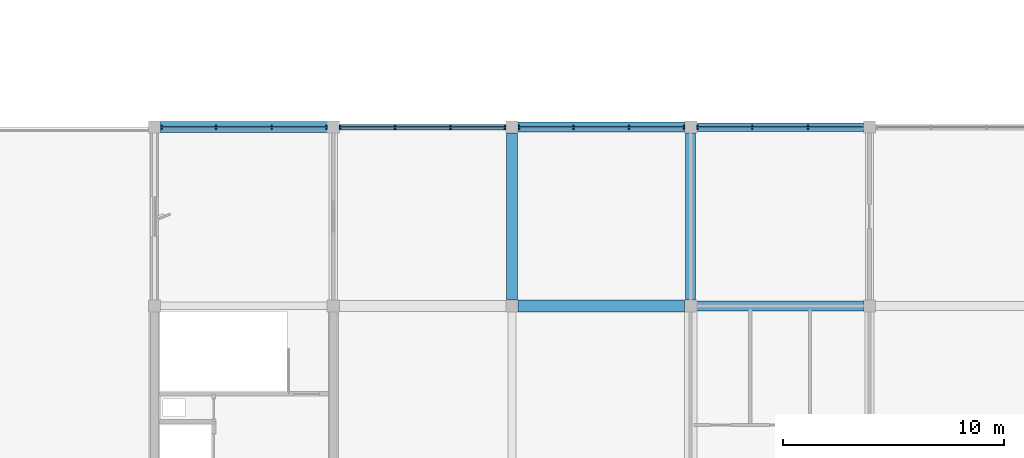
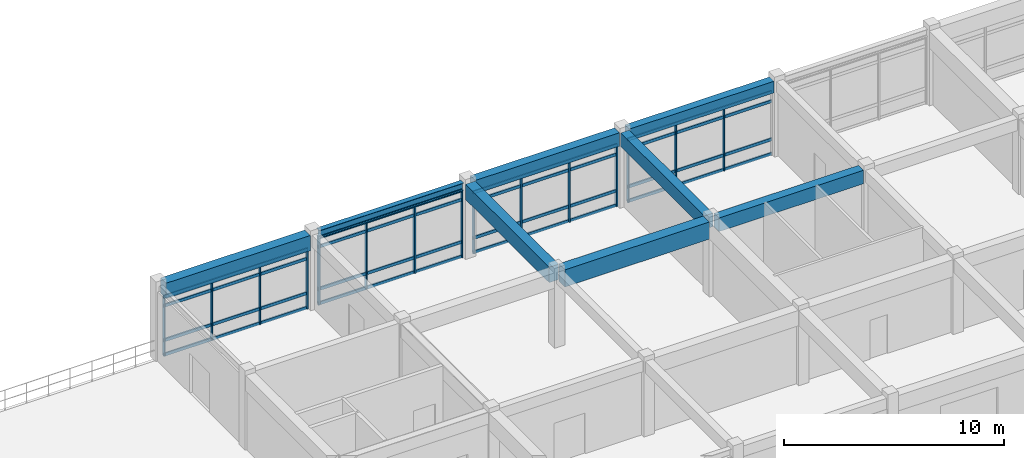
# One storey, part 8 of 40: 31 members, 8 beams, 4 elements without a shape of their own.
"""IFC4 building model written with IfcOpenShell, lengths in metres."""

from ifc_helpers import new_model, si_unit, direction, frame, origin, origin_2d, place, context, subcontext, project, spatial, rectangle, i_section, extrude, material, layer, layer_set, material_profile, profile_set, type_object, element, aggregate, save


model = new_model("IFC4")

# Units and contexts
model_context = context("Model", 3, precision=1e-05, world=origin(), true_north=direction((0.0, 1.0)))
body_context = subcontext(model_context, "Body", "Model", "MODEL_VIEW")
ifc_project = project(units=[si_unit("LENGTHUNIT", "METRE"), si_unit("AREAUNIT", "SQUARE_METRE"), si_unit("VOLUMEUNIT", "CUBIC_METRE"), si_unit("PLANEANGLEUNIT", "RADIAN"), si_unit("MASSUNIT", "GRAM", prefix="KILO")], contexts=[model_context])

# Site, building, storey
site_placement = place(None, origin())
site = spatial("IfcSite", under=ifc_project, at=site_placement, CompositionType="ELEMENT")
building_placement = place(site_placement, origin())
building = spatial("IfcBuilding", under=site, at=building_placement, Name="Vaudrelin Polytechnic", CompositionType="ELEMENT")
storey_placement = place(building_placement, frame((0.0, 0.0, 22.949951171875)))
storey = spatial("IfcBuildingStorey", under=building, at=storey_placement, Name="L05", CompositionType="ELEMENT", Elevation=22.949951171875)

# Beams
ifc_material_1 = material(Name="Concrete 40 MPa", Category="concrete")
ifc_material_profile_1 = material_profile(ifc_material_1, rectangle(XDim=0.39990234375, YDim=0.64990234375, at=origin_2d()), Name="RC400x650")
ifc_profile_set_1 = profile_set([ifc_material_profile_1], Name="Concrete 40 MPa")
beam_type_1 = type_object("IfcBeamType", Name="BM-BM-RC4065", PredefinedType="BEAM", material=ifc_profile_set_1)
beam_1_placement = place(storey_placement, frame((40.77099609375, 121.5, 3.8349609375), z_axis=(1.0, 0.0, 0.0), x_axis=(0.0, 1.0, 0.0)))
element("IfcBeam", 1, at=beam_1_placement, inside=storey, type_object=beam_type_1, Name="L05 X-beam 6-16", PredefinedType="BEAM", context=body_context, shape_type="SweptSolid", body=[
    extrude(rectangle(XDim=0.39990234375, YDim=0.64990234375, at=origin_2d()), origin(), (0.0, 0.0, 1.0), 7.55810546875),
])
ifc_material_profile_2 = material_profile(ifc_material_1, rectangle(XDim=0.449951171875, YDim=0.75, at=origin_2d()), Name="RC450x750")
ifc_profile_set_2 = profile_set([ifc_material_profile_2], Name="Concrete 40 MPa")
beam_type_2 = type_object("IfcBeamType", Name="BM-BM-RC4575", PredefinedType="BEAM", material=ifc_profile_set_2)
beam_2_placement = place(storey_placement, frame((40.5, 113.659912109375, 3.78515625), z_axis=(0.0, 1.0, 0.0), x_axis=(-1.0, 0.0, 0.0)))
element("IfcBeam", 2, at=beam_2_placement, inside=storey, type_object=beam_type_2, Name="L05 Y-beam 6-15", PredefinedType="BEAM", context=body_context, shape_type="SweptSolid", body=[
    extrude(rectangle(XDim=0.449951171875, YDim=0.75, at=origin_2d()), origin(), (0.0, 0.0, 1.0), 7.580078125),
])
for number, where, z_axis, x_axis, name in (
    (3, (32.6708984375, 121.5, 3.78515625), (1.0, 0.0, 0.0), (0.0, 1.0, 0.0), "L05 X-beam 5-16"),
    (4, (40.77099609375, 113.39990234375, 3.78515625), (1.0, 0.0, 0.0), (0.0, 1.0, 0.0), "L05 X-beam 6-15"),
):
    element("IfcBeam", number, at=place(storey_placement, frame(where, z_axis=z_axis, x_axis=x_axis)), inside=storey, type_object=beam_type_2, Name=name, PredefinedType="BEAM", context=body_context, shape_type="SweptSolid", body=[
        extrude(rectangle(XDim=0.449951171875, YDim=0.75, at=origin_2d()), origin(), (0.0, 0.0, 1.0), 7.55810546875),
    ])
ifc_material_profile_3 = material_profile(ifc_material_1, rectangle(XDim=0.5, YDim=0.85009765625, at=origin_2d()), Name="RC500x850")
ifc_profile_set_3 = profile_set([ifc_material_profile_3], Name="Concrete 40 MPa")
beam_type_3 = type_object("IfcBeamType", Name="BM-BM-RC5085", PredefinedType="BEAM", material=ifc_profile_set_3)
beam_3_placement = place(storey_placement, frame((32.39990234375, 113.659912109375, 3.735107421875), z_axis=(0.0, 1.0, 0.0), x_axis=(-1.0, 0.0, 0.0)))
element("IfcBeam", 5, at=beam_3_placement, inside=storey, type_object=beam_type_3, Name="L05 Y-beam 5-15", PredefinedType="BEAM", context=body_context, shape_type="SweptSolid", body=[
    extrude(rectangle(XDim=0.5, YDim=0.85009765625, at=origin_2d()), origin(), (0.0, 0.0, 1.0), 7.580078125),
])
beam_4_placement = place(storey_placement, frame((16.470947265625, 121.5, 3.735107421875), z_axis=(1.0, 0.0, 0.0), x_axis=(0.0, 1.0, 0.0)))
element("IfcBeam", 6, at=beam_4_placement, inside=storey, type_object=beam_type_3, Name="L05 X-beam 3-16", PredefinedType="BEAM", context=body_context, shape_type="SweptSolid", body=[
    extrude(rectangle(XDim=0.5, YDim=0.85009765625, at=origin_2d()), origin(), (0.0, 0.0, 1.0), 7.55810546875),
])
ifc_material_2 = material(Name="Concrete 50 MPa", Category="concrete")
ifc_material_profile_4 = material_profile(ifc_material_2, rectangle(XDim=0.550048828125, YDim=0.949951171875, at=origin_2d()), Name="RC550x950")
ifc_profile_set_4 = profile_set([ifc_material_profile_4], Name="Concrete 50 MPa")
beam_type_4 = type_object("IfcBeamType", Name="BM-BM-RC5595", PredefinedType="BEAM", material=ifc_profile_set_4)
beam_5_placement = place(storey_placement, frame((32.6708984375, 113.39990234375, 3.68505859375), z_axis=(1.0, 0.0, 0.0), x_axis=(0.0, 1.0, 0.0)))
element("IfcBeam", 7, at=beam_5_placement, inside=storey, type_object=beam_type_4, Name="L05 X-beam 5-15", PredefinedType="BEAM", context=body_context, shape_type="SweptSolid", body=[
    extrude(rectangle(XDim=0.550048828125, YDim=0.949951171875, at=origin_2d()), origin(), (0.0, 0.0, 1.0), 7.55810546875),
])
ifc_material_3 = material(Name="Steel CSA G40.21 350WT", Category="steel")
ifc_material_profile_5 = material_profile(ifc_material_3, i_section(OverallWidth=0.260009765625, OverallDepth=0.4150390625, WebThickness=0.010009765625, FlangeThickness=0.016845703125, FilletRadius=0.01611328125, at=origin_2d()), Name="W410x100")
ifc_profile_set_5 = profile_set([ifc_material_profile_5], Name="Steel CSA G40.21 350WT")
beam_type_5 = type_object("IfcBeamType", Name="BM-BM-W410H", PredefinedType="SPANDREL", material=ifc_profile_set_5)
beam_6_placement = place(storey_placement, frame((24.571044921875, 121.5, 3.95263671875), z_axis=(1.0, 0.0, 0.0), x_axis=(0.0, 1.0, 0.0)))
element("IfcBeam", 8, at=beam_6_placement, inside=storey, type_object=beam_type_5, Name="L05 X-beam 4-16", PredefinedType="SPANDREL", context=body_context, shape_type="SweptSolid", body=[
    extrude(i_section(OverallWidth=0.260009765625, OverallDepth=0.4150390625, WebThickness=0.010009765625, FlangeThickness=0.016845703125, FilletRadius=0.01611328125, at=origin_2d()), origin(), (0.0, 0.0, 1.0), 7.557861328125),
])

# Curtain wall, members
ifc_material_4 = material(Name="Thermally broken anodised aluminium AA 6063-T6 and low-e triple glazing", Category="aluminium")
ifc_layer = layer(ifc_material_4, 0.199951171875)
ifc_layer_set = layer_set([ifc_layer], Name="Thermally broken anodised aluminium AA 6063-T6 and low-e triple glazing")
curtain_wall_type = type_object("IfcCurtainWallType", Name="CW-CW-STU", PredefinedType="USERDEFINED", material=ifc_layer_set)
curtain_wall_1_placement = place(storey_placement, origin())
curtain_wall_1 = element("IfcCurtainWall", 9, at=curtain_wall_1_placement, inside=storey, type_object=curtain_wall_type, Name="Curtain wall L05 N_V5_00", ObjectType="CURTAIN WALL", PredefinedType="USERDEFINED")
ifc_material_5 = material(Name="Anodised aluminium AA 6063-T6", Category="aluminium")
ifc_material_profile_6 = material_profile(ifc_material_5, rectangle(XDim=0.06494140625, YDim=0.179931640625, at=origin_2d()), Name="CWM-65x180")
ifc_profile_set_6 = profile_set([ifc_material_profile_6], Name="Anodised aluminium AA 6063-T6")
member_type_1 = type_object("IfcMemberType", Name="MEM-CWM-180", PredefinedType="MULLION", material=ifc_profile_set_6)
member_1_placement = place(storey_placement, frame((16.512939453125, 121.5, 0.0), z_axis=(0.0, 0.0, 1.0), x_axis=(1.0, 0.0, 0.0)))
member_1 = element("IfcMember", 10, at=member_1_placement, type_object=member_type_1, Name="N_V5_00 mullion 1", PredefinedType="MULLION", context=body_context, shape_type="SweptSolid", body=[
    extrude(rectangle(XDim=0.06494140625, YDim=0.179931640625, at=origin_2d()), origin(), (0.0, 0.0, 1.0), 3.31201171875),
])
member_2_placement = place(storey_placement, frame((18.990966796875, 121.5, 0.0), z_axis=(0.0, 0.0, 1.0), x_axis=(1.0, 0.0, 0.0)))
member_2 = element("IfcMember", 11, at=member_2_placement, type_object=member_type_1, Name="N_V5_00 mullion 2", PredefinedType="MULLION", context=body_context, shape_type="SweptSolid", body=[
    extrude(rectangle(XDim=0.06494140625, YDim=0.179931640625, at=origin_2d()), origin(), (0.0, 0.0, 1.0), 3.31201171875),
])
member_3_placement = place(storey_placement, frame((21.509033203125, 121.5, 0.0), z_axis=(0.0, 0.0, 1.0), x_axis=(1.0, 0.0, 0.0)))
member_3 = element("IfcMember", 12, at=member_3_placement, type_object=member_type_1, Name="N_V5_00 mullion 3", PredefinedType="MULLION", context=body_context, shape_type="SweptSolid", body=[
    extrude(rectangle(XDim=0.06494140625, YDim=0.179931640625, at=origin_2d()), origin(), (0.0, 0.0, 1.0), 3.31201171875),
])
member_4_placement = place(storey_placement, frame((23.987060546875, 121.5, 0.0), z_axis=(0.0, 0.0, 1.0), x_axis=(1.0, 0.0, 0.0)))
member_4 = element("IfcMember", 13, at=member_4_placement, type_object=member_type_1, Name="N_V5_00 mullion 4", PredefinedType="MULLION", context=body_context, shape_type="SweptSolid", body=[
    extrude(rectangle(XDim=0.06494140625, YDim=0.179931640625, at=origin_2d()), origin(), (0.0, 0.0, 1.0), 3.31201171875),
])

curtain_wall_2_placement = place(storey_placement, origin())
curtain_wall_2 = element("IfcCurtainWall", 14, at=curtain_wall_2_placement, inside=storey, type_object=curtain_wall_type, Name="Curtain wall L05 N_V5_01", ObjectType="CURTAIN WALL", PredefinedType="USERDEFINED")
member_5_placement = place(storey_placement, frame((24.613037109375, 121.5, 0.0), z_axis=(0.0, 0.0, 1.0), x_axis=(1.0, 0.0, 0.0)))
member_5 = element("IfcMember", 15, at=member_5_placement, type_object=member_type_1, Name="N_V5_01 mullion 1", PredefinedType="MULLION", context=body_context, shape_type="SweptSolid", body=[
    extrude(rectangle(XDim=0.06494140625, YDim=0.179931640625, at=origin_2d()), origin(), (0.0, 0.0, 1.0), 3.7470703125),
])
member_6_placement = place(storey_placement, frame((27.091064453125, 121.5, 0.0), z_axis=(0.0, 0.0, 1.0), x_axis=(1.0, 0.0, 0.0)))
member_6 = element("IfcMember", 16, at=member_6_placement, type_object=member_type_1, Name="N_V5_01 mullion 2", PredefinedType="MULLION", context=body_context, shape_type="SweptSolid", body=[
    extrude(rectangle(XDim=0.06494140625, YDim=0.179931640625, at=origin_2d()), origin(), (0.0, 0.0, 1.0), 3.7470703125),
])
member_7_placement = place(storey_placement, frame((29.60888671875, 121.5, 0.0), z_axis=(0.0, 0.0, 1.0), x_axis=(1.0, 0.0, 0.0)))
member_7 = element("IfcMember", 17, at=member_7_placement, type_object=member_type_1, Name="N_V5_01 mullion 3", PredefinedType="MULLION", context=body_context, shape_type="SweptSolid", body=[
    extrude(rectangle(XDim=0.06494140625, YDim=0.179931640625, at=origin_2d()), origin(), (0.0, 0.0, 1.0), 3.7470703125),
])
member_8_placement = place(storey_placement, frame((32.0869140625, 121.5, 0.0), z_axis=(0.0, 0.0, 1.0), x_axis=(1.0, 0.0, 0.0)))
member_8 = element("IfcMember", 18, at=member_8_placement, type_object=member_type_1, Name="N_V5_01 mullion 4", PredefinedType="MULLION", context=body_context, shape_type="SweptSolid", body=[
    extrude(rectangle(XDim=0.06494140625, YDim=0.179931640625, at=origin_2d()), origin(), (0.0, 0.0, 1.0), 3.7470703125),
])

curtain_wall_3_placement = place(storey_placement, origin())
curtain_wall_3 = element("IfcCurtainWall", 19, at=curtain_wall_3_placement, inside=storey, type_object=curtain_wall_type, Name="Curtain wall L05 N_V5_02", ObjectType="CURTAIN WALL", PredefinedType="USERDEFINED")
member_9_placement = place(storey_placement, frame((32.712890625, 121.5, 0.0), z_axis=(0.0, 0.0, 1.0), x_axis=(1.0, 0.0, 0.0)))
member_9 = element("IfcMember", 20, at=member_9_placement, type_object=member_type_1, Name="N_V5_02 mullion 1", PredefinedType="MULLION", context=body_context, shape_type="SweptSolid", body=[
    extrude(rectangle(XDim=0.06494140625, YDim=0.179931640625, at=origin_2d()), origin(), (0.0, 0.0, 1.0), 3.412109375),
])
member_10_placement = place(storey_placement, frame((35.19091796875, 121.5, 0.0), z_axis=(0.0, 0.0, 1.0), x_axis=(1.0, 0.0, 0.0)))
member_10 = element("IfcMember", 21, at=member_10_placement, type_object=member_type_1, Name="N_V5_02 mullion 2", PredefinedType="MULLION", context=body_context, shape_type="SweptSolid", body=[
    extrude(rectangle(XDim=0.06494140625, YDim=0.179931640625, at=origin_2d()), origin(), (0.0, 0.0, 1.0), 3.412109375),
])
member_11_placement = place(storey_placement, frame((37.708984375, 121.5, 0.0), z_axis=(0.0, 0.0, 1.0), x_axis=(1.0, 0.0, 0.0)))
member_11 = element("IfcMember", 22, at=member_11_placement, type_object=member_type_1, Name="N_V5_02 mullion 3", PredefinedType="MULLION", context=body_context, shape_type="SweptSolid", body=[
    extrude(rectangle(XDim=0.06494140625, YDim=0.179931640625, at=origin_2d()), origin(), (0.0, 0.0, 1.0), 3.412109375),
])
member_12_placement = place(storey_placement, frame((40.18701171875, 121.5, 0.0), z_axis=(0.0, 0.0, 1.0), x_axis=(1.0, 0.0, 0.0)))
member_12 = element("IfcMember", 23, at=member_12_placement, type_object=member_type_1, Name="N_V5_02 mullion 4", PredefinedType="MULLION", context=body_context, shape_type="SweptSolid", body=[
    extrude(rectangle(XDim=0.06494140625, YDim=0.179931640625, at=origin_2d()), origin(), (0.0, 0.0, 1.0), 3.412109375),
])

curtain_wall_4_placement = place(storey_placement, origin())
curtain_wall_4 = element("IfcCurtainWall", 24, at=curtain_wall_4_placement, inside=storey, type_object=curtain_wall_type, Name="Curtain wall L05 N_V5_03", ObjectType="CURTAIN WALL", PredefinedType="USERDEFINED")
member_13_placement = place(storey_placement, frame((40.81298828125, 121.5, 0.0), z_axis=(0.0, 0.0, 1.0), x_axis=(1.0, 0.0, 0.0)))
member_13 = element("IfcMember", 25, at=member_13_placement, type_object=member_type_1, Name="N_V5_03 mullion 1", PredefinedType="MULLION", context=body_context, shape_type="SweptSolid", body=[
    extrude(rectangle(XDim=0.06494140625, YDim=0.179931640625, at=origin_2d()), origin(), (0.0, 0.0, 1.0), 3.511962890625),
])
member_14_placement = place(storey_placement, frame((43.291015625, 121.5, 0.0), z_axis=(0.0, 0.0, 1.0), x_axis=(1.0, 0.0, 0.0)))
member_14 = element("IfcMember", 26, at=member_14_placement, type_object=member_type_1, Name="N_V5_03 mullion 2", PredefinedType="MULLION", context=body_context, shape_type="SweptSolid", body=[
    extrude(rectangle(XDim=0.06494140625, YDim=0.179931640625, at=origin_2d()), origin(), (0.0, 0.0, 1.0), 3.511962890625),
])
member_15_placement = place(storey_placement, frame((45.80908203125, 121.5, 0.0), z_axis=(0.0, 0.0, 1.0), x_axis=(1.0, 0.0, 0.0)))
member_15 = element("IfcMember", 27, at=member_15_placement, type_object=member_type_1, Name="N_V5_03 mullion 3", PredefinedType="MULLION", context=body_context, shape_type="SweptSolid", body=[
    extrude(rectangle(XDim=0.06494140625, YDim=0.179931640625, at=origin_2d()), origin(), (0.0, 0.0, 1.0), 3.511962890625),
])

# Member
ifc_material_profile_7 = material_profile(ifc_material_5, rectangle(XDim=0.074951171875, YDim=0.1650390625, at=origin_2d()), Name="CWT-75x165")
ifc_profile_set_7 = profile_set([ifc_material_profile_7], Name="Anodised aluminium AA 6063-T6")
member_type_2 = type_object("IfcMemberType", Name="MEM-CWT-165", PredefinedType="USERDEFINED", material=ifc_profile_set_7)
member_16_placement = place(storey_placement, frame((16.472900390625, 121.5, 0.050048828125), z_axis=(1.0, 0.0, 0.0), x_axis=(0.0, 1.0, 0.0)))
member_16 = element("IfcMember", 28, at=member_16_placement, type_object=member_type_2, Name="N_V5_00 transom 1", ObjectType="TRANSOM", PredefinedType="USERDEFINED", context=body_context, shape_type="SweptSolid", body=[
    extrude(rectangle(XDim=0.074951171875, YDim=0.1650390625, at=origin_2d()), origin(), (0.0, 0.0, 1.0), 7.55419921875),
])

member_17_placement = place(storey_placement, frame((16.472900390625, 121.5, 0.85009765625), z_axis=(1.0, 0.0, 0.0), x_axis=(0.0, 1.0, 0.0)))
member_17 = element("IfcMember", 29, at=member_17_placement, type_object=member_type_2, Name="N_V5_00 transom 2", ObjectType="TRANSOM", PredefinedType="USERDEFINED", context=body_context, shape_type="SweptSolid", body=[
    extrude(rectangle(XDim=0.074951171875, YDim=0.1650390625, at=origin_2d()), origin(), (0.0, 0.0, 1.0), 7.55419921875),
])

member_18_placement = place(storey_placement, frame((16.472900390625, 121.5, 2.761962890625), z_axis=(1.0, 0.0, 0.0), x_axis=(0.0, 1.0, 0.0)))
member_18 = element("IfcMember", 30, at=member_18_placement, type_object=member_type_2, Name="N_V5_00 transom 3", ObjectType="TRANSOM", PredefinedType="USERDEFINED", context=body_context, shape_type="SweptSolid", body=[
    extrude(rectangle(XDim=0.074951171875, YDim=0.1650390625, at=origin_2d()), origin(), (0.0, 0.0, 1.0), 7.55419921875),
])

member_19_placement = place(storey_placement, frame((16.472900390625, 121.5, 3.261962890625), z_axis=(1.0, 0.0, 0.0), x_axis=(0.0, 1.0, 0.0)))
member_19 = element("IfcMember", 31, at=member_19_placement, type_object=member_type_2, Name="N_V5_00 transom 4", ObjectType="TRANSOM", PredefinedType="USERDEFINED", context=body_context, shape_type="SweptSolid", body=[
    extrude(rectangle(XDim=0.074951171875, YDim=0.1650390625, at=origin_2d()), origin(), (0.0, 0.0, 1.0), 7.55419921875),
])

aggregate(curtain_wall_1, [member_1, member_2, member_3, member_4, member_16, member_17, member_18, member_19])

member_20_placement = place(storey_placement, frame((24.572998046875, 121.5, 0.050048828125), z_axis=(1.0, 0.0, 0.0), x_axis=(0.0, 1.0, 0.0)))
member_20 = element("IfcMember", 32, at=member_20_placement, type_object=member_type_2, Name="N_V5_01 transom 1", ObjectType="TRANSOM", PredefinedType="USERDEFINED", context=body_context, shape_type="SweptSolid", body=[
    extrude(rectangle(XDim=0.074951171875, YDim=0.1650390625, at=origin_2d()), origin(), (0.0, 0.0, 1.0), 7.553955078125),
])

member_21_placement = place(storey_placement, frame((24.572998046875, 121.5, 0.85009765625), z_axis=(1.0, 0.0, 0.0), x_axis=(0.0, 1.0, 0.0)))
member_21 = element("IfcMember", 33, at=member_21_placement, type_object=member_type_2, Name="N_V5_01 transom 2", ObjectType="TRANSOM", PredefinedType="USERDEFINED", context=body_context, shape_type="SweptSolid", body=[
    extrude(rectangle(XDim=0.074951171875, YDim=0.1650390625, at=origin_2d()), origin(), (0.0, 0.0, 1.0), 7.553955078125),
])

member_22_placement = place(storey_placement, frame((24.572998046875, 121.5, 3.197021484375), z_axis=(1.0, 0.0, 0.0), x_axis=(0.0, 1.0, 0.0)))
member_22 = element("IfcMember", 34, at=member_22_placement, type_object=member_type_2, Name="N_V5_01 transom 3", ObjectType="TRANSOM", PredefinedType="USERDEFINED", context=body_context, shape_type="SweptSolid", body=[
    extrude(rectangle(XDim=0.074951171875, YDim=0.1650390625, at=origin_2d()), origin(), (0.0, 0.0, 1.0), 7.553955078125),
])

member_23_placement = place(storey_placement, frame((24.572998046875, 121.5, 3.697021484375), z_axis=(1.0, 0.0, 0.0), x_axis=(0.0, 1.0, 0.0)))
member_23 = element("IfcMember", 35, at=member_23_placement, type_object=member_type_2, Name="N_V5_01 transom 4", ObjectType="TRANSOM", PredefinedType="USERDEFINED", context=body_context, shape_type="SweptSolid", body=[
    extrude(rectangle(XDim=0.074951171875, YDim=0.1650390625, at=origin_2d()), origin(), (0.0, 0.0, 1.0), 7.553955078125),
])

aggregate(curtain_wall_2, [member_5, member_6, member_7, member_8, member_20, member_21, member_22, member_23])

member_24_placement = place(storey_placement, frame((32.673095703125, 121.5, 0.050048828125), z_axis=(1.0, 0.0, 0.0), x_axis=(0.0, 1.0, 0.0)))
member_24 = element("IfcMember", 36, at=member_24_placement, type_object=member_type_2, Name="N_V5_02 transom 1", ObjectType="TRANSOM", PredefinedType="USERDEFINED", context=body_context, shape_type="SweptSolid", body=[
    extrude(rectangle(XDim=0.074951171875, YDim=0.1650390625, at=origin_2d()), origin(), (0.0, 0.0, 1.0), 7.553955078125),
])

member_25_placement = place(storey_placement, frame((32.673095703125, 121.5, 0.85009765625), z_axis=(1.0, 0.0, 0.0), x_axis=(0.0, 1.0, 0.0)))
member_25 = element("IfcMember", 37, at=member_25_placement, type_object=member_type_2, Name="N_V5_02 transom 2", ObjectType="TRANSOM", PredefinedType="USERDEFINED", context=body_context, shape_type="SweptSolid", body=[
    extrude(rectangle(XDim=0.074951171875, YDim=0.1650390625, at=origin_2d()), origin(), (0.0, 0.0, 1.0), 7.553955078125),
])

member_26_placement = place(storey_placement, frame((32.673095703125, 121.5, 2.862060546875), z_axis=(1.0, 0.0, 0.0), x_axis=(0.0, 1.0, 0.0)))
member_26 = element("IfcMember", 38, at=member_26_placement, type_object=member_type_2, Name="N_V5_02 transom 3", ObjectType="TRANSOM", PredefinedType="USERDEFINED", context=body_context, shape_type="SweptSolid", body=[
    extrude(rectangle(XDim=0.074951171875, YDim=0.1650390625, at=origin_2d()), origin(), (0.0, 0.0, 1.0), 7.553955078125),
])

member_27_placement = place(storey_placement, frame((32.673095703125, 121.5, 3.362060546875), z_axis=(1.0, 0.0, 0.0), x_axis=(0.0, 1.0, 0.0)))
member_27 = element("IfcMember", 39, at=member_27_placement, type_object=member_type_2, Name="N_V5_02 transom 4", ObjectType="TRANSOM", PredefinedType="USERDEFINED", context=body_context, shape_type="SweptSolid", body=[
    extrude(rectangle(XDim=0.074951171875, YDim=0.1650390625, at=origin_2d()), origin(), (0.0, 0.0, 1.0), 7.553955078125),
])

aggregate(curtain_wall_3, [member_9, member_10, member_11, member_12, member_24, member_25, member_26, member_27])

member_28_placement = place(storey_placement, frame((40.77294921875, 121.5, 0.050048828125), z_axis=(1.0, 0.0, 0.0), x_axis=(0.0, 1.0, 0.0)))
member_28 = element("IfcMember", 40, at=member_28_placement, type_object=member_type_2, Name="N_V5_03 transom 1", ObjectType="TRANSOM", PredefinedType="USERDEFINED", context=body_context, shape_type="SweptSolid", body=[
    extrude(rectangle(XDim=0.074951171875, YDim=0.1650390625, at=origin_2d()), origin(), (0.0, 0.0, 1.0), 7.553955078125),
])

member_29_placement = place(storey_placement, frame((40.77294921875, 121.5, 0.85009765625), z_axis=(1.0, 0.0, 0.0), x_axis=(0.0, 1.0, 0.0)))
member_29 = element("IfcMember", 41, at=member_29_placement, type_object=member_type_2, Name="N_V5_03 transom 2", ObjectType="TRANSOM", PredefinedType="USERDEFINED", context=body_context, shape_type="SweptSolid", body=[
    extrude(rectangle(XDim=0.074951171875, YDim=0.1650390625, at=origin_2d()), origin(), (0.0, 0.0, 1.0), 7.553955078125),
])

member_30_placement = place(storey_placement, frame((40.77294921875, 121.5, 2.962158203125), z_axis=(1.0, 0.0, 0.0), x_axis=(0.0, 1.0, 0.0)))
member_30 = element("IfcMember", 42, at=member_30_placement, type_object=member_type_2, Name="N_V5_03 transom 3", ObjectType="TRANSOM", PredefinedType="USERDEFINED", context=body_context, shape_type="SweptSolid", body=[
    extrude(rectangle(XDim=0.074951171875, YDim=0.1650390625, at=origin_2d()), origin(), (0.0, 0.0, 1.0), 7.553955078125),
])

member_31_placement = place(storey_placement, frame((40.77294921875, 121.5, 3.462158203125), z_axis=(1.0, 0.0, 0.0), x_axis=(0.0, 1.0, 0.0)))
member_31 = element("IfcMember", 43, at=member_31_placement, type_object=member_type_2, Name="N_V5_03 transom 4", ObjectType="TRANSOM", PredefinedType="USERDEFINED", context=body_context, shape_type="SweptSolid", body=[
    extrude(rectangle(XDim=0.074951171875, YDim=0.1650390625, at=origin_2d()), origin(), (0.0, 0.0, 1.0), 7.553955078125),
])

aggregate(curtain_wall_4, [member_13, member_14, member_15, member_28, member_29, member_30, member_31])

save(model, "model.ifc")
